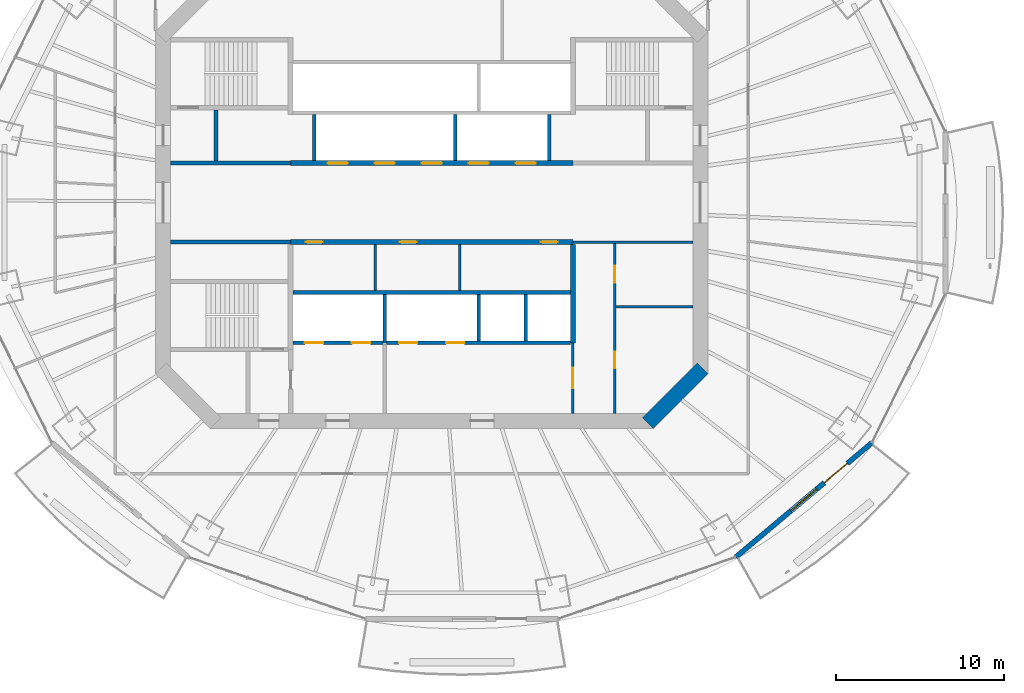
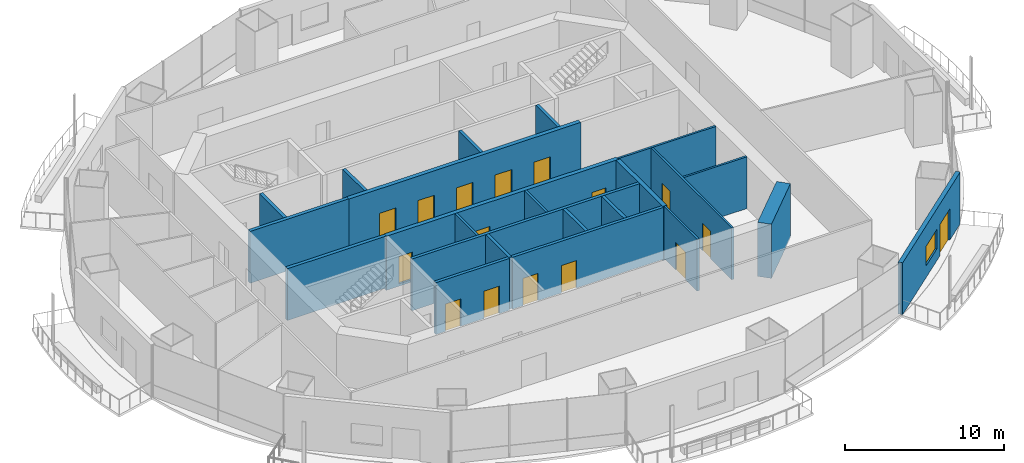
# One storey, part 11 of 18: 23 walls, 16 doors, 1 window, 17 openings.
"""IFC4 building model written with IfcOpenShell, lengths in metres."""

from ifc_helpers import new_model, si_unit, direction, frame, frame_2d, origin, place, context, subcontext, project, spatial, rectangle, extrude, material, layer, layer_set, type_object, element, fill, save


model = new_model("IFC4")

# Units and contexts
model_context = context("Model", 3, precision=1e-05, world=origin(), true_north=direction((0.0, 1.0)))
body_context = subcontext(model_context, "Body", "Model", "MODEL_VIEW")
ifc_project = project(units=[si_unit("LENGTHUNIT", "METRE"), si_unit("AREAUNIT", "SQUARE_METRE"), si_unit("VOLUMEUNIT", "CUBIC_METRE"), si_unit("PLANEANGLEUNIT", "RADIAN"), si_unit("MASSUNIT", "GRAM", prefix="KILO")], contexts=[model_context])

# Site, building, storey
site_placement = place(None, origin())
site = spatial("IfcSite", under=ifc_project, at=site_placement, CompositionType="ELEMENT")
building_placement = place(site_placement, origin())
building = spatial("IfcBuilding", under=site, at=building_placement, Name="Marenthal Gate Tower", CompositionType="ELEMENT")
storey_placement = place(building_placement, frame((0.0, 0.0, 264.800048828125)))
storey = spatial("IfcBuildingStorey", under=building, at=storey_placement, Name="L59", CompositionType="ELEMENT", Elevation=264.800048828125)

# Wall
ifc_material_1 = material(Name="Concrete 60 MPa", Category="concrete")
ifc_layer_1 = layer(ifc_material_1, 0.89990234375)
ifc_layer_set_1 = layer_set([ifc_layer_1], Name="Core shear wall 900")
wall_type_1 = type_object("IfcWallType", Name="Core shear wall 900", PredefinedType="SHEAR", material=ifc_layer_set_1)
wall_1_placement = place(storey_placement, frame((12.8681640625, -13.1318359375, -0.179931640625), z_axis=(0.0, 0.0, 1.0), x_axis=(0.707106781187, 0.707106781187, 0.0)))
element("IfcWall", 1, at=wall_1_placement, inside=storey, type_object=wall_type_1, Name="Core wall 01", PredefinedType="SHEAR", context=body_context, shape_type="SweptSolid", body=[
    extrude(rectangle(XDim=4.615478515625, YDim=0.89990234375, at=frame_2d((2.3076171875, 0.0))), origin(), (0.0, 0.0, 1.0), 4.14990234375),
])

# Wall, openings, doors
ifc_material_2 = material(Name="Concrete 50 MPa", Category="concrete")
ifc_layer_2 = layer(ifc_material_2, 0.300048828125)
ifc_layer_set_2 = layer_set([ifc_layer_2], Name="Hoistway shear wall 300")
wall_type_2 = type_object("IfcWallType", Name="Hoistway shear wall 300", PredefinedType="SHEAR", material=ifc_layer_set_2)
wall_2_placement = place(storey_placement, frame((-8.39990234375, -2.35009765625, -0.179931640625), z_axis=(0.0, 0.0, 1.0), x_axis=(1.0, 0.0, 0.0)))
wall_2 = element("IfcWall", 2, at=wall_2_placement, inside=storey, type_object=wall_type_2, Name="Hoistway wall 16", PredefinedType="SHEAR", context=body_context, shape_type="SweptSolid", body=[
    extrude(rectangle(XDim=16.7998046875, YDim=0.300048828125, at=frame_2d((8.39990234375, 0.0))), origin(), (0.0, 0.0, 1.0), 4.14990234375),
])
opening_1_placement = place(wall_2_placement, frame((0.89990234375, 0.0, 0.179931640625)))
opening_1 = element("IfcOpeningElement", 3, at=opening_1_placement, cuts=wall_2, Name="Opening D005.01", PredefinedType="OPENING", context=body_context, shape_type="SweptSolid", body=[
    extrude(rectangle(XDim=1.0, YDim=2.10009765625, at=frame_2d((0.5, 1.050048828125))), frame((0.0, 0.16015625, 0.0), z_axis=(0.0, -1.0, 0.0), x_axis=(1.0, 0.0, 0.0)), (0.0, 0.0, 1.0), 0.320068359375),
])
opening_2_placement = place(wall_2_placement, frame((6.5, 0.0, 0.179931640625)))
opening_2 = element("IfcOpeningElement", 4, at=opening_2_placement, cuts=wall_2, Name="Opening D005.02", PredefinedType="OPENING", context=body_context, shape_type="SweptSolid", body=[
    extrude(rectangle(XDim=1.0, YDim=2.10009765625, at=frame_2d((0.5, 1.050048828125))), frame((0.0, 0.16015625, 0.0), z_axis=(0.0, -1.0, 0.0), x_axis=(1.0, 0.0, 0.0)), (0.0, 0.0, 1.0), 0.320068359375),
])
opening_3_placement = place(wall_2_placement, frame((14.89990234375, 0.0, 0.179931640625)))
opening_3 = element("IfcOpeningElement", 5, at=opening_3_placement, cuts=wall_2, Name="Opening D005.03", PredefinedType="OPENING", context=body_context, shape_type="SweptSolid", body=[
    extrude(rectangle(XDim=1.0, YDim=2.10009765625, at=frame_2d((0.5, 1.050048828125))), frame((0.0, 0.16015625, 0.0), z_axis=(0.0, -1.0, 0.0), x_axis=(1.0, 0.0, 0.0)), (0.0, 0.0, 1.0), 0.320068359375),
])
ifc_material_3 = material(Name="Steel fire door", Category="steel")
door_type_1 = type_object("IfcDoorType", Name="Fire door FD 45 1000 x 2100", OperationType="NOTDEFINED", PredefinedType="DOOR", material=ifc_material_3)
door_1_placement = place(opening_1_placement, frame((1.0, 0.0, 0.0), z_axis=(0.0, 0.0, 1.0), x_axis=(-1.0, 0.0, 0.0)))
door_1 = element("IfcDoor", 6, at=door_1_placement, inside=storey, type_object=door_type_1, Name="Door D005.01", OperationType="SINGLE_SWING_LEFT", OverallHeight=2.10009765625, OverallWidth=1.0, PredefinedType="DOOR", context=body_context, shape_type="SweptSolid", body=[
    extrude(rectangle(XDim=1.0, YDim=2.10009765625, at=frame_2d((0.5, 1.050048828125))), frame((0.0, 0.02490234375, 0.0), z_axis=(0.0, -1.0, 0.0), x_axis=(1.0, 0.0, 0.0)), (0.0, 0.0, 1.0), 0.050048828125),
])
fill(opening_1, door_1)
door_2_placement = place(opening_2_placement, frame((1.0, 0.0, 0.0), z_axis=(0.0, 0.0, 1.0), x_axis=(-1.0, 0.0, 0.0)))
door_2 = element("IfcDoor", 7, at=door_2_placement, inside=storey, type_object=door_type_1, Name="Door D005.02", OperationType="SINGLE_SWING_LEFT", OverallHeight=2.10009765625, OverallWidth=1.0, PredefinedType="DOOR", context=body_context, shape_type="SweptSolid", body=[
    extrude(rectangle(XDim=1.0, YDim=2.10009765625, at=frame_2d((0.5, 1.050048828125))), frame((0.0, 0.02490234375, 0.0), z_axis=(0.0, -1.0, 0.0), x_axis=(1.0, 0.0, 0.0)), (0.0, 0.0, 1.0), 0.050048828125),
])
fill(opening_2, door_2)
door_3_placement = place(opening_3_placement, frame((1.0, 0.0, 0.0), z_axis=(0.0, 0.0, 1.0), x_axis=(-1.0, 0.0, 0.0)))
door_3 = element("IfcDoor", 8, at=door_3_placement, inside=storey, type_object=door_type_1, Name="Door D005.03", OperationType="SINGLE_SWING_LEFT", OverallHeight=2.10009765625, OverallWidth=1.0, PredefinedType="DOOR", context=body_context, shape_type="SweptSolid", body=[
    extrude(rectangle(XDim=1.0, YDim=2.10009765625, at=frame_2d((0.5, 1.050048828125))), frame((0.0, 0.02490234375, 0.0), z_axis=(0.0, -1.0, 0.0), x_axis=(1.0, 0.0, 0.0)), (0.0, 0.0, 1.0), 0.050048828125),
])
fill(opening_3, door_3)

wall_3_placement = place(storey_placement, frame((-8.39990234375, 2.35009765625, -0.179931640625), z_axis=(0.0, 0.0, 1.0), x_axis=(1.0, 0.0, 0.0)))
wall_3 = element("IfcWall", 9, at=wall_3_placement, inside=storey, type_object=wall_type_2, Name="Hoistway wall 19", PredefinedType="SHEAR", context=body_context, shape_type="SweptSolid", body=[
    extrude(rectangle(XDim=16.7998046875, YDim=0.300048828125, at=frame_2d((8.39990234375, 0.0))), origin(), (0.0, 0.0, 1.0), 4.14990234375),
])
opening_4_placement = place(wall_3_placement, frame((2.199951171875, 0.0, 0.179931640625)))
opening_4 = element("IfcOpeningElement", 10, at=opening_4_placement, cuts=wall_3, Name="Opening LD-MP1", PredefinedType="OPENING", context=body_context, shape_type="SweptSolid", body=[
    extrude(rectangle(XDim=1.199951171875, YDim=2.10009765625, at=frame_2d((0.60009765625, 1.050048828125))), frame((0.0, 0.16015625, 0.0), z_axis=(0.0, -1.0, 0.0), x_axis=(1.0, 0.0, 0.0)), (0.0, 0.0, 1.0), 0.320068359375),
])
opening_5_placement = place(wall_3_placement, frame((5.0, 0.0, 0.179931640625)))
opening_5 = element("IfcOpeningElement", 11, at=opening_5_placement, cuts=wall_3, Name="Opening LD-MP2", PredefinedType="OPENING", context=body_context, shape_type="SweptSolid", body=[
    extrude(rectangle(XDim=1.199951171875, YDim=2.10009765625, at=frame_2d((0.60009765625, 1.050048828125))), frame((0.0, 0.16015625, 0.0), z_axis=(0.0, -1.0, 0.0), x_axis=(1.0, 0.0, 0.0)), (0.0, 0.0, 1.0), 0.320068359375),
])
opening_6_placement = place(wall_3_placement, frame((7.800048828125, 0.0, 0.179931640625)))
opening_6 = element("IfcOpeningElement", 12, at=opening_6_placement, cuts=wall_3, Name="Opening LD-MP3", PredefinedType="OPENING", context=body_context, shape_type="SweptSolid", body=[
    extrude(rectangle(XDim=1.199951171875, YDim=2.10009765625, at=frame_2d((0.60009765625, 1.050048828125))), frame((0.0, 0.16015625, 0.0), z_axis=(0.0, -1.0, 0.0), x_axis=(1.0, 0.0, 0.0)), (0.0, 0.0, 1.0), 0.320068359375),
])
opening_7_placement = place(wall_3_placement, frame((10.60009765625, 0.0, 0.179931640625)))
opening_7 = element("IfcOpeningElement", 13, at=opening_7_placement, cuts=wall_3, Name="Opening LD-MP4", PredefinedType="OPENING", context=body_context, shape_type="SweptSolid", body=[
    extrude(rectangle(XDim=1.199951171875, YDim=2.10009765625, at=frame_2d((0.60009765625, 1.050048828125))), frame((0.0, 0.16015625, 0.0), z_axis=(0.0, -1.0, 0.0), x_axis=(1.0, 0.0, 0.0)), (0.0, 0.0, 1.0), 0.320068359375),
])
opening_8_placement = place(wall_3_placement, frame((13.39990234375, 0.0, 0.179931640625)))
opening_8 = element("IfcOpeningElement", 14, at=opening_8_placement, cuts=wall_3, Name="Opening LD-MP5", PredefinedType="OPENING", context=body_context, shape_type="SweptSolid", body=[
    extrude(rectangle(XDim=1.199951171875, YDim=2.10009765625, at=frame_2d((0.60009765625, 1.050048828125))), frame((0.0, 0.16015625, 0.0), z_axis=(0.0, -1.0, 0.0), x_axis=(1.0, 0.0, 0.0)), (0.0, 0.0, 1.0), 0.320068359375),
])
ifc_material_4 = material(Name="Stainless steel sliding door", Category="steel")
door_type_2 = type_object("IfcDoorType", Name="Lift landing door FD 90 1200 x 2100", OperationType="DOUBLE_DOOR_SLIDING", PredefinedType="DOOR", material=ifc_material_4)
door_4_placement = place(opening_4_placement, origin())
door_4 = element("IfcDoor", 15, at=door_4_placement, inside=storey, type_object=door_type_2, Name="Lift landing door MP1", OperationType="DOUBLE_DOOR_SLIDING", OverallHeight=2.10009765625, OverallWidth=1.199951171875, PredefinedType="DOOR", context=body_context, shape_type="SweptSolid", body=[
    extrude(rectangle(XDim=1.199951171875, YDim=2.10009765625, at=frame_2d((0.60009765625, 1.050048828125))), frame((0.0, 0.02490234375, 0.0), z_axis=(0.0, -1.0, 0.0), x_axis=(1.0, 0.0, 0.0)), (0.0, 0.0, 1.0), 0.050048828125),
])
fill(opening_4, door_4)
door_5_placement = place(opening_5_placement, origin())
door_5 = element("IfcDoor", 16, at=door_5_placement, inside=storey, type_object=door_type_2, Name="Lift landing door MP2", OperationType="DOUBLE_DOOR_SLIDING", OverallHeight=2.10009765625, OverallWidth=1.199951171875, PredefinedType="DOOR", context=body_context, shape_type="SweptSolid", body=[
    extrude(rectangle(XDim=1.199951171875, YDim=2.10009765625, at=frame_2d((0.60009765625, 1.050048828125))), frame((0.0, 0.02490234375, 0.0), z_axis=(0.0, -1.0, 0.0), x_axis=(1.0, 0.0, 0.0)), (0.0, 0.0, 1.0), 0.050048828125),
])
fill(opening_5, door_5)
door_6_placement = place(opening_6_placement, origin())
door_6 = element("IfcDoor", 17, at=door_6_placement, inside=storey, type_object=door_type_2, Name="Lift landing door MP3", OperationType="DOUBLE_DOOR_SLIDING", OverallHeight=2.10009765625, OverallWidth=1.199951171875, PredefinedType="DOOR", context=body_context, shape_type="SweptSolid", body=[
    extrude(rectangle(XDim=1.199951171875, YDim=2.10009765625, at=frame_2d((0.60009765625, 1.050048828125))), frame((0.0, 0.02490234375, 0.0), z_axis=(0.0, -1.0, 0.0), x_axis=(1.0, 0.0, 0.0)), (0.0, 0.0, 1.0), 0.050048828125),
])
fill(opening_6, door_6)
door_7_placement = place(opening_7_placement, origin())
door_7 = element("IfcDoor", 18, at=door_7_placement, inside=storey, type_object=door_type_2, Name="Lift landing door MP4", OperationType="DOUBLE_DOOR_SLIDING", OverallHeight=2.10009765625, OverallWidth=1.199951171875, PredefinedType="DOOR", context=body_context, shape_type="SweptSolid", body=[
    extrude(rectangle(XDim=1.199951171875, YDim=2.10009765625, at=frame_2d((0.60009765625, 1.050048828125))), frame((0.0, 0.02490234375, 0.0), z_axis=(0.0, -1.0, 0.0), x_axis=(1.0, 0.0, 0.0)), (0.0, 0.0, 1.0), 0.050048828125),
])
fill(opening_7, door_7)
door_8_placement = place(opening_8_placement, origin())
door_8 = element("IfcDoor", 19, at=door_8_placement, inside=storey, type_object=door_type_2, Name="Lift landing door MP5", OperationType="DOUBLE_DOOR_SLIDING", OverallHeight=2.10009765625, OverallWidth=1.199951171875, PredefinedType="DOOR", context=body_context, shape_type="SweptSolid", body=[
    extrude(rectangle(XDim=1.199951171875, YDim=2.10009765625, at=frame_2d((0.60009765625, 1.050048828125))), frame((0.0, 0.02490234375, 0.0), z_axis=(0.0, -1.0, 0.0), x_axis=(1.0, 0.0, 0.0)), (0.0, 0.0, 1.0), 0.050048828125),
])
fill(opening_8, door_8)

# Wall
wall_4_placement = place(storey_placement, frame((8.39990234375, -8.35009765625, -0.179931640625), z_axis=(0.0, 0.0, 1.0), x_axis=(0.0, 1.0, 0.0)))
element("IfcWall", 20, at=wall_4_placement, inside=storey, type_object=wall_type_2, Name="Hoistway wall 45", PredefinedType="SHEAR", context=body_context, shape_type="SweptSolid", body=[
    extrude(rectangle(XDim=5.85009765625, YDim=0.300048828125, at=frame_2d((2.925048828125, 0.0))), origin(), (0.0, 0.0, 1.0), 4.14990234375),
])

# Wall, openings, doors
ifc_material_5 = material(Name="Concrete 40 MPa", Category="concrete")
ifc_layer_3 = layer(ifc_material_5, 0.219970703125)
ifc_layer_set_3 = layer_set([ifc_layer_3], Name="Hoistway wall 220")
wall_type_3 = type_object("IfcWallType", Name="Hoistway wall 220", PredefinedType="STANDARD", material=ifc_layer_set_3)
wall_5_placement = place(storey_placement, frame((-8.25, -8.35009765625, 0.0), z_axis=(0.0, 0.0, 1.0), x_axis=(1.0, 0.0, 0.0)))
wall_5 = element("IfcWall", 21, at=wall_5_placement, inside=storey, type_object=wall_type_3, Name="Hoistway wall 10", PredefinedType="STANDARD", context=body_context, shape_type="SweptSolid", body=[
    extrude(rectangle(XDim=5.340087890625, YDim=0.219970703125, at=frame_2d((2.669921875, 0.0))), origin(), (0.0, 0.0, 1.0), 3.969970703125),
])
opening_9_placement = place(wall_5_placement, frame((0.699951171875, 0.0, 0.0)))
opening_9 = element("IfcOpeningElement", 22, at=opening_9_placement, cuts=wall_5, Name="Opening LD-LF1", PredefinedType="OPENING", context=body_context, shape_type="SweptSolid", body=[
    extrude(rectangle(XDim=1.10009765625, YDim=2.10009765625, at=frame_2d((0.550048828125, 1.050048828125))), frame((0.0, 0.1201171875, 0.0), z_axis=(0.0, -1.0, 0.0), x_axis=(1.0, 0.0, 0.0)), (0.0, 0.0, 1.0), 0.239990234375),
])
opening_10_placement = place(wall_5_placement, frame((3.5, 0.0, 0.0)))
opening_10 = element("IfcOpeningElement", 23, at=opening_10_placement, cuts=wall_5, Name="Opening LD-LF2", PredefinedType="OPENING", context=body_context, shape_type="SweptSolid", body=[
    extrude(rectangle(XDim=1.10009765625, YDim=2.10009765625, at=frame_2d((0.550048828125, 1.050048828125))), frame((0.0, 0.1201171875, 0.0), z_axis=(0.0, -1.0, 0.0), x_axis=(1.0, 0.0, 0.0)), (0.0, 0.0, 1.0), 0.239990234375),
])
ifc_material_6 = material(Name="Stainless steel sliding door", Category="steel")
door_type_3 = type_object("IfcDoorType", Name="Lift landing door FD 90 1100 x 2100", OperationType="DOUBLE_DOOR_SLIDING", PredefinedType="DOOR", material=ifc_material_6)
door_9_placement = place(opening_9_placement, origin())
door_9 = element("IfcDoor", 24, at=door_9_placement, inside=storey, type_object=door_type_3, Name="Lift landing door LF1", OperationType="DOUBLE_DOOR_SLIDING", OverallHeight=2.10009765625, OverallWidth=1.10009765625, PredefinedType="DOOR", context=body_context, shape_type="SweptSolid", body=[
    extrude(rectangle(XDim=1.10009765625, YDim=2.10009765625, at=frame_2d((0.550048828125, 1.050048828125))), frame((0.0, 0.02490234375, 0.0), z_axis=(0.0, -1.0, 0.0), x_axis=(1.0, 0.0, 0.0)), (0.0, 0.0, 1.0), 0.050048828125),
])
fill(opening_9, door_9)
door_10_placement = place(opening_10_placement, origin())
door_10 = element("IfcDoor", 25, at=door_10_placement, inside=storey, type_object=door_type_3, Name="Lift landing door LF2", OperationType="DOUBLE_DOOR_SLIDING", OverallHeight=2.10009765625, OverallWidth=1.10009765625, PredefinedType="DOOR", context=body_context, shape_type="SweptSolid", body=[
    extrude(rectangle(XDim=1.10009765625, YDim=2.10009765625, at=frame_2d((0.550048828125, 1.050048828125))), frame((0.0, 0.02490234375, 0.0), z_axis=(0.0, -1.0, 0.0), x_axis=(1.0, 0.0, 0.0)), (0.0, 0.0, 1.0), 0.050048828125),
])
fill(opening_10, door_10)

wall_6_placement = place(storey_placement, frame((-2.68994140625, -8.35009765625, 0.0), z_axis=(0.0, 0.0, 1.0), x_axis=(1.0, 0.0, 0.0)))
wall_6 = element("IfcWall", 26, at=wall_6_placement, inside=storey, type_object=wall_type_3, Name="Hoistway wall 11", PredefinedType="STANDARD", context=body_context, shape_type="SweptSolid", body=[
    extrude(rectangle(XDim=10.93994140625, YDim=0.219970703125, at=frame_2d((5.469970703125, 0.0))), origin(), (0.0, 0.0, 1.0), 3.969970703125),
])
opening_11_placement = place(wall_6_placement, frame((0.739990234375, 0.0, 0.0)))
opening_11 = element("IfcOpeningElement", 27, at=opening_11_placement, cuts=wall_6, Name="Opening LD-SV1", PredefinedType="OPENING", context=body_context, shape_type="SweptSolid", body=[
    extrude(rectangle(XDim=1.10009765625, YDim=2.10009765625, at=frame_2d((0.550048828125, 1.050048828125))), frame((0.0, 0.1201171875, 0.0), z_axis=(0.0, -1.0, 0.0), x_axis=(1.0, 0.0, 0.0)), (0.0, 0.0, 1.0), 0.239990234375),
])
opening_12_placement = place(wall_6_placement, frame((3.5400390625, 0.0, 0.0)))
opening_12 = element("IfcOpeningElement", 28, at=opening_12_placement, cuts=wall_6, Name="Opening LD-SV2", PredefinedType="OPENING", context=body_context, shape_type="SweptSolid", body=[
    extrude(rectangle(XDim=1.10009765625, YDim=2.10009765625, at=frame_2d((0.550048828125, 1.050048828125))), frame((0.0, 0.1201171875, 0.0), z_axis=(0.0, -1.0, 0.0), x_axis=(1.0, 0.0, 0.0)), (0.0, 0.0, 1.0), 0.239990234375),
])
door_11_placement = place(opening_11_placement, origin())
door_11 = element("IfcDoor", 29, at=door_11_placement, inside=storey, type_object=door_type_3, Name="Lift landing door SV1", OperationType="DOUBLE_DOOR_SLIDING", OverallHeight=2.10009765625, OverallWidth=1.10009765625, PredefinedType="DOOR", context=body_context, shape_type="SweptSolid", body=[
    extrude(rectangle(XDim=1.10009765625, YDim=2.10009765625, at=frame_2d((0.550048828125, 1.050048828125))), frame((0.0, 0.02490234375, 0.0), z_axis=(0.0, -1.0, 0.0), x_axis=(1.0, 0.0, 0.0)), (0.0, 0.0, 1.0), 0.050048828125),
])
fill(opening_11, door_11)
door_12_placement = place(opening_12_placement, origin())
door_12 = element("IfcDoor", 30, at=door_12_placement, inside=storey, type_object=door_type_3, Name="Lift landing door SV2", OperationType="DOUBLE_DOOR_SLIDING", OverallHeight=2.10009765625, OverallWidth=1.10009765625, PredefinedType="DOOR", context=body_context, shape_type="SweptSolid", body=[
    extrude(rectangle(XDim=1.10009765625, YDim=2.10009765625, at=frame_2d((0.550048828125, 1.050048828125))), frame((0.0, 0.02490234375, 0.0), z_axis=(0.0, -1.0, 0.0), x_axis=(1.0, 0.0, 0.0)), (0.0, 0.0, 1.0), 0.050048828125),
])
fill(opening_12, door_12)

# Walls
wall_7_placement = place(storey_placement, frame((-8.25, -5.35009765625, 0.0), z_axis=(0.0, 0.0, 1.0), x_axis=(1.0, 0.0, 0.0)))
element("IfcWall", 31, at=wall_7_placement, inside=storey, type_object=wall_type_3, Name="Hoistway wall 13", PredefinedType="STANDARD", context=body_context, shape_type="SweptSolid", body=[
    extrude(rectangle(XDim=16.5, YDim=0.219970703125, at=frame_2d((8.25, 0.0))), origin(), (0.0, 0.0, 1.0), 3.969970703125),
])
wall_8_placement = place(storey_placement, frame((-7.0, 2.5, 0.0), z_axis=(0.0, 0.0, 1.0), x_axis=(0.0, 1.0, 0.0)))
element("IfcWall", 32, at=wall_8_placement, inside=storey, type_object=wall_type_3, Name="Hoistway wall 33", PredefinedType="STANDARD", context=body_context, shape_type="SweptSolid", body=[
    extrude(rectangle(XDim=2.739990234375, YDim=0.219970703125, at=frame_2d((1.3701171875, 0.0))), origin(), (0.0, 0.0, 1.0), 3.969970703125),
])
wall_9_placement = place(storey_placement, frame((-2.800048828125, -8.35009765625, 0.0), z_axis=(0.0, 0.0, 1.0), x_axis=(0.0, 1.0, 0.0)))
element("IfcWall", 33, at=wall_9_placement, inside=storey, type_object=wall_type_3, Name="Hoistway wall 36", PredefinedType="STANDARD", context=body_context, shape_type="SweptSolid", body=[
    extrude(rectangle(XDim=2.89013671875, YDim=0.219970703125, at=frame_2d((1.445068359375, 0.0))), origin(), (0.0, 0.0, 1.0), 3.969970703125),
])
wall_10_placement = place(storey_placement, frame((1.39990234375, 2.5, 0.0), z_axis=(0.0, 0.0, 1.0), x_axis=(0.0, 1.0, 0.0)))
element("IfcWall", 34, at=wall_10_placement, inside=storey, type_object=wall_type_3, Name="Hoistway wall 37", PredefinedType="STANDARD", context=body_context, shape_type="SweptSolid", body=[
    extrude(rectangle(XDim=2.739990234375, YDim=0.219970703125, at=frame_2d((1.3701171875, 0.0))), origin(), (0.0, 0.0, 1.0), 3.969970703125),
])
for number, where, z_axis, x_axis, name in (
    (35, (2.800048828125, -8.239990234375, 0.0), (0.0, 0.0, 1.0), (0.0, 1.0, 0.0), "Hoistway wall 39"),
    (36, (5.60009765625, -8.239990234375, 0.0), (0.0, 0.0, 1.0), (0.0, 1.0, 0.0), "Hoistway wall 42"),
):
    element("IfcWall", number, at=place(storey_placement, frame(where, z_axis=z_axis, x_axis=x_axis)), inside=storey, type_object=wall_type_3, Name=name, PredefinedType="STANDARD", context=body_context, shape_type="SweptSolid", body=[
        extrude(rectangle(XDim=2.780029296875, YDim=0.219970703125, at=frame_2d((1.39013671875, 0.0))), origin(), (0.0, 0.0, 1.0), 3.969970703125),
    ])
wall_11_placement = place(storey_placement, frame((7.0, 2.5, 0.0), z_axis=(0.0, 0.0, 1.0), x_axis=(0.0, 1.0, 0.0)))
element("IfcWall", 37, at=wall_11_placement, inside=storey, type_object=wall_type_3, Name="Hoistway wall 43", PredefinedType="STANDARD", context=body_context, shape_type="SweptSolid", body=[
    extrude(rectangle(XDim=2.739990234375, YDim=0.219970703125, at=frame_2d((1.3701171875, 0.0))), origin(), (0.0, 0.0, 1.0), 3.969970703125),
])
ifc_material_7 = material(Name="Gypsum board on steel studs", Category="steel")
ifc_layer_4 = layer(ifc_material_7, 0.14990234375)
ifc_layer_set_4 = layer_set([ifc_layer_4], Name="Partition 150")
wall_type_4 = type_object("IfcWallType", Name="Partition 150", PredefinedType="PARTITIONING", material=ifc_layer_set_4)
wall_12_placement = place(storey_placement, frame((10.97509765625, -6.199951171875, 0.0), z_axis=(0.0, 0.0, 1.0), x_axis=(1.0, 0.0, 0.0)))
element("IfcWall", 38, at=wall_12_placement, inside=storey, type_object=wall_type_4, Name="Partition wall 12", PredefinedType="PARTITIONING", context=body_context, shape_type="SweptSolid", body=[
    extrude(rectangle(XDim=4.574951171875, YDim=0.14990234375, at=frame_2d((2.28759765625, 0.0))), origin(), (0.0, 0.0, 1.0), 3.969970703125),
])
wall_13_placement = place(storey_placement, frame((8.39990234375, -2.35009765625, 0.0), z_axis=(0.0, 0.0, 1.0), x_axis=(1.0, 0.0, 0.0)))
element("IfcWall", 39, at=wall_13_placement, inside=storey, type_object=wall_type_4, Name="Partition wall 17", PredefinedType="PARTITIONING", context=body_context, shape_type="SweptSolid", body=[
    extrude(rectangle(XDim=7.150146484375, YDim=0.14990234375, at=frame_2d((3.5751953125, 0.0))), origin(), (0.0, 0.0, 1.0), 3.969970703125),
])
for number, where, z_axis, x_axis, name in (
    (40, (-3.360107421875, -5.239990234375, 0.0), (0.0, 0.0, 1.0), (0.0, 1.0, 0.0), "Partition wall 34"),
    (41, (1.679931640625, -5.239990234375, 0.0), (0.0, 0.0, 1.0), (0.0, 1.0, 0.0), "Partition wall 38"),
):
    element("IfcWall", number, at=place(storey_placement, frame(where, z_axis=z_axis, x_axis=x_axis)), inside=storey, type_object=wall_type_4, Name=name, PredefinedType="PARTITIONING", context=body_context, shape_type="SweptSolid", body=[
        extrude(rectangle(XDim=2.739990234375, YDim=0.14990234375, at=frame_2d((1.3701171875, 0.0))), origin(), (0.0, 0.0, 1.0), 3.969970703125),
    ])

# Wall, opening, door
wall_14_placement = place(storey_placement, frame((8.39990234375, -12.550048828125, 0.0), z_axis=(0.0, 0.0, 1.0), x_axis=(0.0, 1.0, 0.0)))
wall_14 = element("IfcWall", 42, at=wall_14_placement, inside=storey, type_object=wall_type_4, Name="Partition wall 44", PredefinedType="PARTITIONING", context=body_context, shape_type="SweptSolid", body=[
    extrude(rectangle(XDim=4.199951171875, YDim=0.14990234375, at=frame_2d((2.10009765625, 0.0))), origin(), (0.0, 0.0, 1.0), 3.969970703125),
])
opening_13_placement = place(wall_14_placement, frame((1.5, 0.0, 0.0)))
opening_13 = element("IfcOpeningElement", 43, at=opening_13_placement, cuts=wall_14, Name="Opening D006.01", PredefinedType="OPENING", context=body_context, shape_type="SweptSolid", body=[
    extrude(rectangle(XDim=1.199951171875, YDim=2.10009765625, at=frame_2d((0.60009765625, 1.050048828125))), frame((0.0, 0.0849609375, 0.0), z_axis=(0.0, -1.0, 0.0), x_axis=(1.0, 0.0, 0.0)), (0.0, 0.0, 1.0), 0.169921875),
])
ifc_material_8 = material(Name="Steel fire door", Category="steel")
door_type_4 = type_object("IfcDoorType", Name="Fire door FD 45 1200 x 2100", OperationType="NOTDEFINED", PredefinedType="DOOR", material=ifc_material_8)
door_13_placement = place(opening_13_placement, frame((1.199951171875, 0.0, 0.0), z_axis=(0.0, 0.0, 1.0), x_axis=(-1.0, 0.0, 0.0)))
door_13 = element("IfcDoor", 44, at=door_13_placement, inside=storey, type_object=door_type_4, Name="Door D006.01", OperationType="SINGLE_SWING_LEFT", OverallHeight=2.10009765625, OverallWidth=1.199951171875, PredefinedType="DOOR", context=body_context, shape_type="SweptSolid", body=[
    extrude(rectangle(XDim=1.199951171875, YDim=2.10009765625, at=frame_2d((0.60009765625, 1.050048828125))), frame((0.0, 0.02490234375, 0.0), z_axis=(0.0, -1.0, 0.0), x_axis=(1.0, 0.0, 0.0)), (0.0, 0.0, 1.0), 0.050048828125),
])
fill(opening_13, door_13)

# Wall, openings, doors
wall_15_placement = place(storey_placement, frame((10.89990234375, -12.550048828125, 0.0), z_axis=(0.0, 0.0, 1.0), x_axis=(0.0, 1.0, 0.0)))
wall_15 = element("IfcWall", 45, at=wall_15_placement, inside=storey, type_object=wall_type_4, Name="Partition wall 48", PredefinedType="PARTITIONING", context=body_context, shape_type="SweptSolid", body=[
    extrude(rectangle(XDim=10.125, YDim=0.14990234375, at=frame_2d((5.0625, 0.0))), origin(), (0.0, 0.0, 1.0), 3.969970703125),
])
opening_14_placement = place(wall_15_placement, frame((7.77490234375, 0.0, 0.0)))
opening_14 = element("IfcOpeningElement", 46, at=opening_14_placement, cuts=wall_15, Name="Opening D005.06", PredefinedType="OPENING", context=body_context, shape_type="SweptSolid", body=[
    extrude(rectangle(XDim=1.0, YDim=2.10009765625, at=frame_2d((0.5, 1.050048828125))), frame((0.0, 0.0849609375, 0.0), z_axis=(0.0, -1.0, 0.0), x_axis=(1.0, 0.0, 0.0)), (0.0, 0.0, 1.0), 0.169921875),
])
opening_15_placement = place(wall_15_placement, frame((2.675048828125, 0.0, 0.0)))
opening_15 = element("IfcOpeningElement", 47, at=opening_15_placement, cuts=wall_15, Name="Opening D005.07", PredefinedType="OPENING", context=body_context, shape_type="SweptSolid", body=[
    extrude(rectangle(XDim=1.0, YDim=2.10009765625, at=frame_2d((0.5, 1.050048828125))), frame((0.0, 0.0849609375, 0.0), z_axis=(0.0, -1.0, 0.0), x_axis=(1.0, 0.0, 0.0)), (0.0, 0.0, 1.0), 0.169921875),
])
door_14_placement = place(opening_14_placement, frame((1.0, 0.0, 0.0), z_axis=(0.0, 0.0, 1.0), x_axis=(-1.0, 0.0, 0.0)))
door_14 = element("IfcDoor", 48, at=door_14_placement, inside=storey, type_object=door_type_1, Name="Door D005.06", OperationType="SINGLE_SWING_LEFT", OverallHeight=2.10009765625, OverallWidth=1.0, PredefinedType="DOOR", context=body_context, shape_type="SweptSolid", body=[
    extrude(rectangle(XDim=1.0, YDim=2.10009765625, at=frame_2d((0.5, 1.050048828125))), frame((0.0, 0.02490234375, 0.0), z_axis=(0.0, -1.0, 0.0), x_axis=(1.0, 0.0, 0.0)), (0.0, 0.0, 1.0), 0.050048828125),
])
fill(opening_14, door_14)
door_15_placement = place(opening_15_placement, frame((1.0, 0.0, 0.0), z_axis=(0.0, 0.0, 1.0), x_axis=(-1.0, 0.0, 0.0)))
door_15 = element("IfcDoor", 49, at=door_15_placement, inside=storey, type_object=door_type_1, Name="Door D005.07", OperationType="SINGLE_SWING_LEFT", OverallHeight=2.10009765625, OverallWidth=1.0, PredefinedType="DOOR", context=body_context, shape_type="SweptSolid", body=[
    extrude(rectangle(XDim=1.0, YDim=2.10009765625, at=frame_2d((0.5, 1.050048828125))), frame((0.0, 0.02490234375, 0.0), z_axis=(0.0, -1.0, 0.0), x_axis=(1.0, 0.0, 0.0)), (0.0, 0.0, 1.0), 0.050048828125),
])
fill(opening_15, door_15)

# Walls
ifc_material_9 = material(Name="Concrete 40 MPa", Category="concrete")
ifc_layer_5 = layer(ifc_material_9, 0.25)
ifc_layer_set_5 = layer_set([ifc_layer_5], Name="Stair enclosure wall 250")
wall_type_5 = type_object("IfcWallType", Name="Stair enclosure wall 250", PredefinedType="STANDARD", material=ifc_layer_set_5)
for number, where, z_axis, x_axis, name in (
    (50, (-15.550048828125, -2.35009765625, 0.0), (0.0, 0.0, 1.0), (1.0, 0.0, 0.0), "Stair wall 15"),
    (51, (-15.550048828125, 2.35009765625, 0.0), (0.0, 0.0, 1.0), (1.0, 0.0, 0.0), "Stair wall 18"),
):
    element("IfcWall", number, at=place(storey_placement, frame(where, z_axis=z_axis, x_axis=x_axis)), inside=storey, type_object=wall_type_5, Name=name, PredefinedType="STANDARD", context=body_context, shape_type="SweptSolid", body=[
        extrude(rectangle(XDim=7.150146484375, YDim=0.25, at=frame_2d((3.5751953125, 0.0))), origin(), (0.0, 0.0, 1.0), 3.969970703125),
    ])
wall_16_placement = place(storey_placement, frame((-12.85009765625, 2.47509765625, 0.0), z_axis=(0.0, 0.0, 1.0), x_axis=(0.0, 1.0, 0.0)))
element("IfcWall", 52, at=wall_16_placement, inside=storey, type_object=wall_type_5, Name="Stair wall 27", PredefinedType="STANDARD", context=body_context, shape_type="SweptSolid", body=[
    extrude(rectangle(XDim=3.0498046875, YDim=0.25, at=frame_2d((1.52490234375, 0.0))), origin(), (0.0, 0.0, 1.0), 3.969970703125),
])

# Wall, openings, door, window
ifc_material_10 = material(Name="Terracotta cladding on insulated concrete-block backing", Category="masonry")
ifc_layer_6 = layer(ifc_material_10, 0.300048828125)
ifc_layer_set_6 = layer_set([ifc_layer_6], Name="Terracotta facade wall 300")
wall_type_6 = type_object("IfcWallType", Name="Terracotta facade wall 300", PredefinedType="SOLIDWALL", material=ifc_layer_set_6)
wall_17_placement = place(storey_placement, frame((18.112060546875, -21.110595703125, 0.0), z_axis=(0.0, 0.0, 1.0), x_axis=(0.765650311701, 0.643257024984, 0.0)))
wall_17 = element("IfcWall", 53, at=wall_17_placement, inside=storey, type_object=wall_type_6, Name="Terracotta facade wall L59 bay 14", PredefinedType="SOLIDWALL", context=body_context, shape_type="SweptSolid", body=[
    extrude(rectangle(XDim=10.580078125, YDim=0.300048828125, at=frame_2d((5.2900390625, 0.0))), origin(), (0.0, 0.0, 1.0), 3.969970703125),
])
opening_16_placement = place(wall_17_placement, frame((6.880126953125, 0.0, 0.0)))
opening_16 = element("IfcOpeningElement", 54, at=opening_16_placement, cuts=wall_17, Name="Opening BD-L59-14", PredefinedType="OPENING", context=body_context, shape_type="SweptSolid", body=[
    extrude(rectangle(XDim=1.800048828125, YDim=2.39990234375, at=frame_2d((0.89990234375, 1.199951171875))), frame((0.0, 0.16015625, 0.0), z_axis=(0.0, -1.0, 0.0), x_axis=(1.0, 0.0, 0.0)), (0.0, 0.0, 1.0), 0.320068359375),
])
opening_17_placement = place(wall_17_placement, frame((4.2802734375, 0.0, 0.89990234375)))
opening_17 = element("IfcOpeningElement", 55, at=opening_17_placement, cuts=wall_17, Name="Opening WN2-L59-14", PredefinedType="OPENING", context=body_context, shape_type="SweptSolid", body=[
    extrude(rectangle(XDim=2.0, YDim=1.5, at=frame_2d((1.0, 0.75))), frame((0.0, 0.16015625, 0.0), z_axis=(0.0, -1.0, 0.0), x_axis=(1.0, 0.0, 0.0)), (0.0, 0.0, 1.0), 0.320068359375),
])
ifc_material_11 = material(Name="Aluminium and glass", Category="aluminium")
door_type_5 = type_object("IfcDoorType", Name="Balcony door 1800x2400", OperationType="DOUBLE_DOOR_SINGLE_SWING", PredefinedType="DOOR", material=ifc_material_11)
door_16_placement = place(opening_16_placement, origin())
door_16 = element("IfcDoor", 56, at=door_16_placement, inside=storey, type_object=door_type_5, Name="Balcony door L59 bay 14", OperationType="SINGLE_SWING_LEFT", OverallHeight=2.39990234375, OverallWidth=1.800048828125, PredefinedType="DOOR", context=body_context, shape_type="SweptSolid", body=[
    extrude(rectangle(XDim=1.800048828125, YDim=2.39990234375, at=frame_2d((0.89990234375, 1.199951171875))), frame((0.0, 0.02490234375, 0.0), z_axis=(0.0, -1.0, 0.0), x_axis=(1.0, 0.0, 0.0)), (0.0, 0.0, 1.0), 0.050048828125),
])
fill(opening_16, door_16)
ifc_material_12 = material(Name="Aluminium and glass", Category="aluminium")
window_type = type_object("IfcWindowType", Name="Window 2000x1500", PartitioningType="DOUBLE_PANEL_VERTICAL", PredefinedType="WINDOW", material=ifc_material_12)
window_placement = place(opening_17_placement, origin())
window = element("IfcWindow", 57, at=window_placement, inside=storey, type_object=window_type, Name="Window L59 bay 14", OverallHeight=1.5, OverallWidth=2.0, PartitioningType="SINGLE_PANEL", PredefinedType="WINDOW", context=body_context, shape_type="SweptSolid", body=[
    extrude(rectangle(XDim=2.0, YDim=1.5, at=frame_2d((1.0, 0.75))), frame((0.0, 0.030029296875, 0.0), z_axis=(0.0, -1.0, 0.0), x_axis=(1.0, 0.0, 0.0)), (0.0, 0.0, 1.0), 0.06005859375),
])
fill(opening_17, window)

save(model, "model.ifc")
